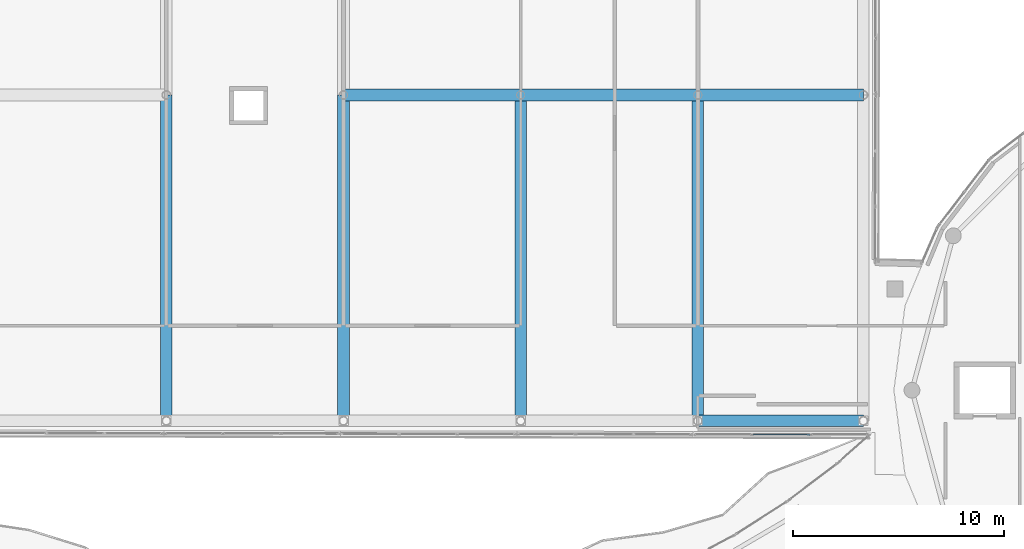
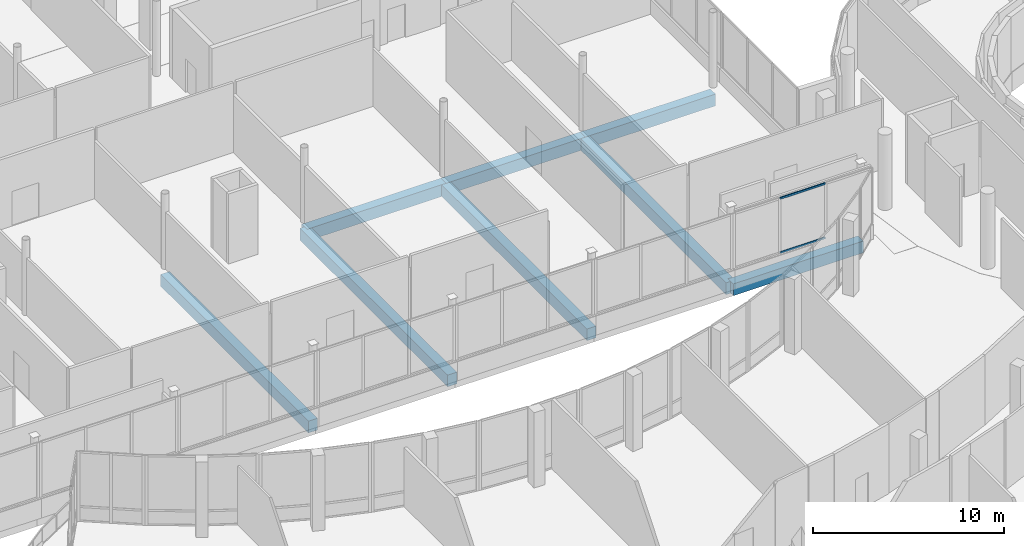
# One storey, part 38 of 155: 8 beams, 2 members, 1 element without a shape of its own.
"""IFC4 building model written with IfcOpenShell, lengths in metres."""

from ifc_helpers import new_model, si_unit, direction, frame, origin, origin_2d, place, context, subcontext, project, spatial, rectangle, hollow_rectangle, extrude, material, material_profile, profile_set, type_object, element, aggregate, save


model = new_model("IFC4")

# Units and contexts
model_context = context("Model", 3, precision=1e-05, world=origin(), true_north=direction((0.0, 1.0)))
body_context = subcontext(model_context, "Body", "Model", "MODEL_VIEW")
ifc_project = project(units=[si_unit("LENGTHUNIT", "METRE"), si_unit("AREAUNIT", "SQUARE_METRE"), si_unit("VOLUMEUNIT", "CUBIC_METRE"), si_unit("PLANEANGLEUNIT", "RADIAN"), si_unit("MASSUNIT", "GRAM", prefix="KILO")], contexts=[model_context])

# Site, building, storey
site_placement = place(None, origin())
site = spatial("IfcSite", under=ifc_project, at=site_placement, CompositionType="ELEMENT")
building_placement = place(site_placement, origin())
building = spatial("IfcBuilding", under=site, at=building_placement, Name="Selatvlak General Hospital", CompositionType="ELEMENT")
storey_placement = place(building_placement, frame((0.0, 0.0, 10.199951171875)))
storey = spatial("IfcBuildingStorey", under=building, at=storey_placement, Name="L02", CompositionType="ELEMENT", Elevation=10.199951171875)

# Beams
ifc_material_1 = material(Name="Concrete C40/50", Category="concrete")
ifc_material_profile_1 = material_profile(ifc_material_1, rectangle(XDim=0.550048828125, YDim=0.75, at=origin_2d()), Name="RC-BM 550x750")
ifc_profile_set_1 = profile_set([ifc_material_profile_1], Name="Concrete C40/50")
beam_type = type_object("IfcBeamType", Name="BM-G02", PredefinedType="BEAM", material=ifc_profile_set_1)
beam_1_placement = place(storey_placement, frame((73.199951171875, 52.550048828125, -0.72998046875), z_axis=(1.0, 0.0, 0.0), x_axis=(0.0, 1.0, 0.0)))
element("IfcBeam", 1, at=beam_1_placement, inside=storey, type_object=beam_type, Name="Beam BMR-L02-0773", PredefinedType="BEAM", context=body_context, shape_type="SweptSolid", body=[
    extrude(rectangle(XDim=0.550048828125, YDim=0.75, at=origin_2d()), origin(), (0.0, 0.0, 1.0), 7.85009765625),
])
beam_2_placement = place(storey_placement, frame((56.39990234375, 68.0, -0.72998046875), z_axis=(1.0, 0.0, 0.0), x_axis=(0.0, 1.0, 0.0)))
element("IfcBeam", 2, at=beam_2_placement, inside=storey, type_object=beam_type, Name="Beam BMR-L02-0784", PredefinedType="BEAM", context=body_context, shape_type="SweptSolid", body=[
    extrude(rectangle(XDim=0.550048828125, YDim=0.75, at=origin_2d()), origin(), (0.0, 0.0, 1.0), 8.400146484375),
])
beam_3_placement = place(storey_placement, frame((64.800048828125, 68.0, -0.72998046875), z_axis=(1.0, 0.0, 0.0), x_axis=(0.0, 1.0, 0.0)))
element("IfcBeam", 3, at=beam_3_placement, inside=storey, type_object=beam_type, Name="Beam BMR-L02-0785", PredefinedType="BEAM", context=body_context, shape_type="SweptSolid", body=[
    extrude(rectangle(XDim=0.550048828125, YDim=0.75, at=origin_2d()), origin(), (0.0, 0.0, 1.0), 8.39990234375),
])
beam_4_placement = place(storey_placement, frame((73.199951171875, 68.0, -0.72998046875), z_axis=(1.0, 0.0, 0.0), x_axis=(0.0, 1.0, 0.0)))
element("IfcBeam", 4, at=beam_4_placement, inside=storey, type_object=beam_type, Name="Beam BMR-L02-0786", PredefinedType="BEAM", context=body_context, shape_type="SweptSolid", body=[
    extrude(rectangle(XDim=0.550048828125, YDim=0.75, at=origin_2d()), origin(), (0.0, 0.0, 1.0), 7.85009765625),
])
for number, where, z_axis, x_axis, name in (
    (5, (48.0, 52.550048828125, -0.72998046875), (0.0, 1.0, 0.0), (-1.0, 0.0, 0.0), "Beam BMR-L02-0951"),
    (6, (56.39990234375, 52.550048828125, -0.72998046875), (0.0, 1.0, 0.0), (-1.0, 0.0, 0.0), "Beam BMR-L02-0958"),
    (7, (64.800048828125, 52.550048828125, -0.72998046875), (0.0, 1.0, 0.0), (-1.0, 0.0, 0.0), "Beam BMR-L02-0967"),
    (8, (73.199951171875, 52.550048828125, -0.72998046875), (0.0, 1.0, 0.0), (-1.0, 0.0, 0.0), "Beam BMR-L02-0976"),
):
    element("IfcBeam", number, at=place(storey_placement, frame(where, z_axis=z_axis, x_axis=x_axis)), inside=storey, type_object=beam_type, Name=name, PredefinedType="BEAM", context=body_context, shape_type="SweptSolid", body=[
        extrude(rectangle(XDim=0.550048828125, YDim=0.75, at=origin_2d()), origin(), (0.0, 0.0, 1.0), 15.449951171875),
    ])

# Curtain wall, members
ifc_material_2 = material(Name="Solar-control Low-E double glazing", Category="glass")
curtain_wall_type = type_object("IfcCurtainWallType", Name="CW-CW-02", PredefinedType="USERDEFINED", material=ifc_material_2)
curtain_wall_placement = place(storey_placement, origin())
curtain_wall = element("IfcCurtainWall", 9, at=curtain_wall_placement, inside=storey, type_object=curtain_wall_type, Name="Glazed facade curtain wall CW-L02-0339", ObjectType="UNITISED CURTAIN WALL", PredefinedType="USERDEFINED")
ifc_material_3 = material(Name="Dark anodised aluminium mullion", Category="aluminium")
ifc_material_profile_2 = material_profile(ifc_material_3, hollow_rectangle(XDim=0.06494140625, YDim=0.1201171875, WallThickness=0.00390625, at=origin_2d()), Name="AL-TRN 65x120x4")
ifc_profile_set_2 = profile_set([ifc_material_profile_2], Name="Dark anodised aluminium mullion")
member_type = type_object("IfcMemberType", Name="CWT-01", PredefinedType="USERDEFINED", material=ifc_profile_set_2)
member_1_placement = place(storey_placement, frame((78.51708984375, 51.900146484375, 0.97265625), z_axis=(-0.999998379388, 0.001800339147, 0.0), x_axis=(-0.001800339147, -0.999998379388, 0.0)))
member_1 = element("IfcMember", 10, at=member_1_placement, type_object=member_type, Name="CW-02 transom 2.1", ObjectType="TRANSOM", PredefinedType="USERDEFINED", context=body_context, shape_type="SweptSolid", body=[
    extrude(hollow_rectangle(XDim=0.06494140625, YDim=0.1201171875, WallThickness=0.00390625, at=origin_2d()), origin(), (0.0, 0.0, 1.0), 2.712158203125),
])
member_2_placement = place(storey_placement, frame((78.51708984375, 51.900146484375, 4.427490234375), z_axis=(-0.999998379388, 0.001800339147, 0.0), x_axis=(-0.001800339147, -0.999998379388, 0.0)))
member_2 = element("IfcMember", 11, at=member_2_placement, type_object=member_type, Name="CW-02 transom 2.2", ObjectType="TRANSOM", PredefinedType="USERDEFINED", context=body_context, shape_type="SweptSolid", body=[
    extrude(hollow_rectangle(XDim=0.06494140625, YDim=0.1201171875, WallThickness=0.00390625, at=origin_2d()), origin(), (0.0, 0.0, 1.0), 2.712158203125),
])
aggregate(curtain_wall, [member_1, member_2])

save(model, "model.ifc")
